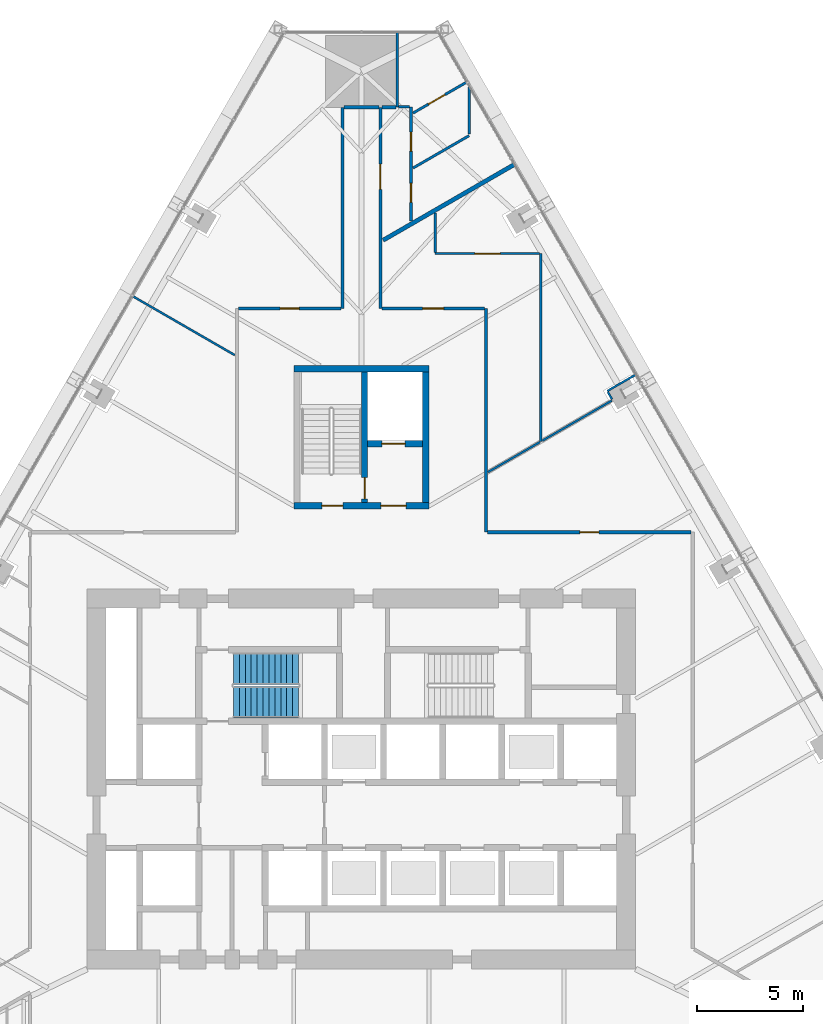
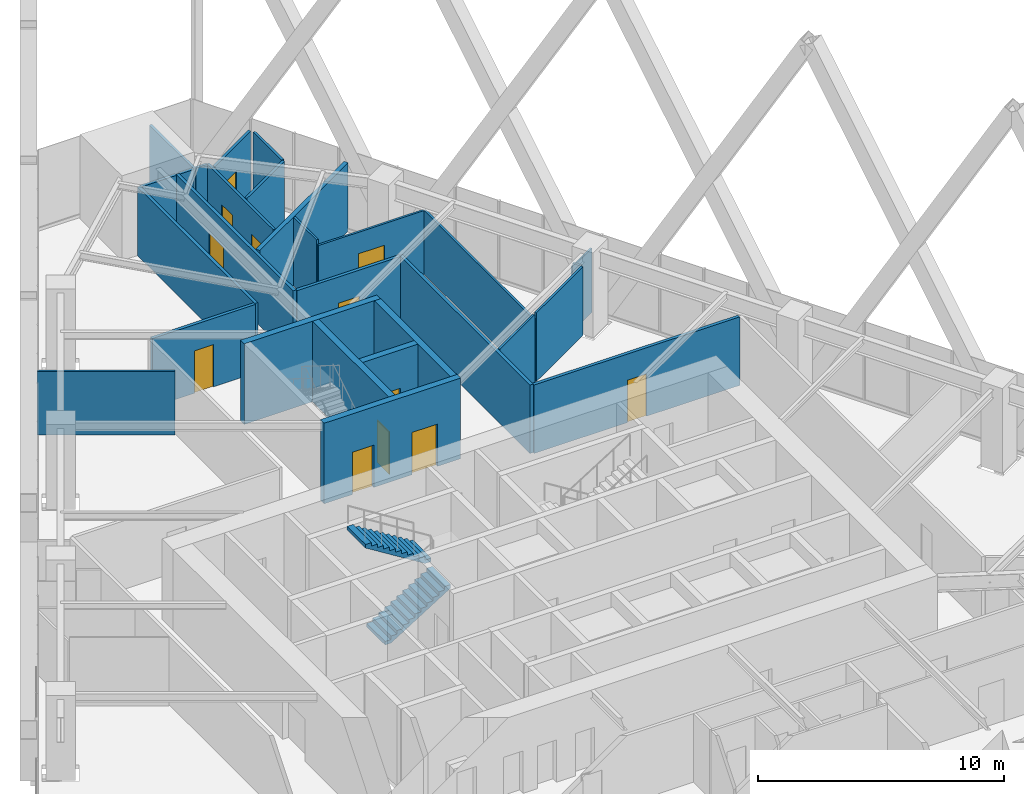
# One storey, part 20 of 26: 28 walls, 12 doors, 2 stair flights, 12 openings, 1 element without a shape of its own.
"""IFC4 building model written with IfcOpenShell, lengths in metres."""

from ifc_helpers import new_model, si_unit, direction, frame, frame_2d, origin, place, context, subcontext, project, spatial, polyline, rectangle, outline, extrude, material, layer, layer_set, type_object, element, fill, aggregate, save


model = new_model("IFC4")

# Units and contexts
model_context = context("Model", 3, precision=1e-05, world=origin(), true_north=direction((0.0, 1.0)))
body_context = subcontext(model_context, "Body", "Model", "MODEL_VIEW")
ifc_project = project(units=[si_unit("LENGTHUNIT", "METRE"), si_unit("AREAUNIT", "SQUARE_METRE"), si_unit("VOLUMEUNIT", "CUBIC_METRE"), si_unit("PLANEANGLEUNIT", "RADIAN"), si_unit("MASSUNIT", "GRAM", prefix="KILO")], contexts=[model_context])

# Site, building, storey
site_placement = place(None, origin())
site = spatial("IfcSite", under=ifc_project, at=site_placement, CompositionType="ELEMENT")
building_placement = place(site_placement, origin())
building = spatial("IfcBuilding", under=site, at=building_placement, Name="Firuza Gate Tower and Library", CompositionType="ELEMENT")
storey_placement = place(building_placement, frame((0.0, 0.0, 40.0)))
storey = spatial("IfcBuildingStorey", under=building, at=storey_placement, Name="L08", CompositionType="ELEMENT", Elevation=40.0)

# Wall, openings, doors
ifc_material_1 = material(Name="Concrete C80/95", Category="concrete")
ifc_layer_1 = layer(ifc_material_1, 0.300048828125)
ifc_layer_set_1 = layer_set([ifc_layer_1], Name="Core wall 300 C80/95")
wall_type_1 = type_object("IfcWallType", Name="Core wall 300 C80/95", PredefinedType="SHEAR", material=ifc_layer_set_1)
wall_1_placement = place(storey_placement, frame((71.800048828125, 87.949951171875, 0.0), z_axis=(0.0, 0.0, 1.0), x_axis=(1.0, 0.0, 0.0)))
wall_1 = element("IfcWall", 1, at=wall_1_placement, inside=storey, type_object=wall_type_1, Name="Core wall L08 34", PredefinedType="SHEAR", context=body_context, shape_type="SweptSolid", body=[
    extrude(rectangle(XDim=6.39990234375, YDim=0.300048828125, at=frame_2d((3.199951171875, 0.0))), origin(), (0.0, 0.0, 1.0), 4.0),
])
opening_1_placement = place(wall_1_placement, frame((1.324951171875, 0.0, 0.0)))
opening_1 = element("IfcOpeningElement", 2, at=opening_1_placement, cuts=wall_1, Name="Opening L08-K17", PredefinedType="OPENING", context=body_context, shape_type="SweptSolid", body=[
    extrude(rectangle(XDim=1.0, YDim=2.10009765625, at=frame_2d((0.5, 1.050048828125))), frame((0.0, 0.16015625, 0.0), z_axis=(0.0, -1.0, 0.0), x_axis=(1.0, 0.0, 0.0)), (0.0, 0.0, 1.0), 0.320068359375),
])
opening_2_placement = place(wall_1_placement, frame((4.125, 0.0, 0.0)))
opening_2 = element("IfcOpeningElement", 3, at=opening_2_placement, cuts=wall_1, Name="Opening L08-K19", PredefinedType="OPENING", context=body_context, shape_type="SweptSolid", body=[
    extrude(rectangle(XDim=1.199951171875, YDim=2.10009765625, at=frame_2d((0.60009765625, 1.050048828125))), frame((0.0, 0.16015625, 0.0), z_axis=(0.0, -1.0, 0.0), x_axis=(1.0, 0.0, 0.0)), (0.0, 0.0, 1.0), 0.320068359375),
])
ifc_material_2 = material(Name="Steel", Category="steel")
door_type_1 = type_object("IfcDoorType", Name="Fire door 1000x2100 FD90", OperationType="NOTDEFINED", PredefinedType="DOOR", material=ifc_material_2)
door_1_placement = place(opening_1_placement, origin())
door_1 = element("IfcDoor", 4, at=door_1_placement, inside=storey, type_object=door_type_1, Name="Door L08-K17", OperationType="SINGLE_SWING_RIGHT", OverallHeight=2.10009765625, OverallWidth=1.0, PredefinedType="DOOR", context=body_context, shape_type="SweptSolid", body=[
    extrude(rectangle(XDim=1.0, YDim=2.10009765625, at=frame_2d((0.5, 1.050048828125))), frame((0.0, 0.02490234375, 0.0), z_axis=(0.0, -1.0, 0.0), x_axis=(1.0, 0.0, 0.0)), (0.0, 0.0, 1.0), 0.050048828125),
])
fill(opening_1, door_1)
ifc_material_3 = material(Name="Steel", Category="steel")
door_type_2 = type_object("IfcDoorType", Name="Fire door 1200x2100 FD30S", OperationType="NOTDEFINED", PredefinedType="DOOR", material=ifc_material_3)
door_2_placement = place(opening_2_placement, origin())
door_2 = element("IfcDoor", 5, at=door_2_placement, inside=storey, type_object=door_type_2, Name="Door L08-K19", OperationType="SINGLE_SWING_RIGHT", OverallHeight=2.10009765625, OverallWidth=1.199951171875, PredefinedType="DOOR", context=body_context, shape_type="SweptSolid", body=[
    extrude(rectangle(XDim=1.199951171875, YDim=2.10009765625, at=frame_2d((0.60009765625, 1.050048828125))), frame((0.0, 0.02490234375, 0.0), z_axis=(0.0, -1.0, 0.0), x_axis=(1.0, 0.0, 0.0)), (0.0, 0.0, 1.0), 0.050048828125),
])
fill(opening_2, door_2)

# Walls
wall_2_placement = place(storey_placement, frame((71.800048828125, 94.449951171875, 0.0), z_axis=(0.0, 0.0, 1.0), x_axis=(1.0, 0.0, 0.0)))
element("IfcWall", 6, at=wall_2_placement, inside=storey, type_object=wall_type_1, Name="Core wall L08 35", PredefinedType="SHEAR", context=body_context, shape_type="SweptSolid", body=[
    extrude(rectangle(XDim=6.39990234375, YDim=0.300048828125, at=frame_2d((3.199951171875, 0.0))), origin(), (0.0, 0.0, 1.0), 4.0),
])
wall_3_placement = place(storey_placement, frame((78.050048828125, 88.10009765625, 0.0), z_axis=(0.0, 0.0, 1.0), x_axis=(0.0, 1.0, 0.0)))
element("IfcWall", 7, at=wall_3_placement, inside=storey, type_object=wall_type_1, Name="Core wall L08 37", PredefinedType="SHEAR", context=body_context, shape_type="SweptSolid", body=[
    extrude(rectangle(XDim=6.199951171875, YDim=0.300048828125, at=frame_2d((3.10009765625, 0.0))), origin(), (0.0, 0.0, 1.0), 4.0),
])

# Wall, opening, door
wall_4_placement = place(storey_placement, frame((75.300048828125, 90.89990234375, 0.0), z_axis=(0.0, 0.0, 1.0), x_axis=(1.0, 0.0, 0.0)))
wall_4 = element("IfcWall", 8, at=wall_4_placement, inside=storey, type_object=wall_type_1, Name="Core wall L08 38", PredefinedType="SHEAR", context=body_context, shape_type="SweptSolid", body=[
    extrude(rectangle(XDim=2.599853515625, YDim=0.300048828125, at=frame_2d((1.2998046875, 0.0))), origin(), (0.0, 0.0, 1.0), 4.0),
])
opening_3_placement = place(wall_4_placement, frame((0.675048828125, 0.0, 0.0)))
opening_3 = element("IfcOpeningElement", 9, at=opening_3_placement, cuts=wall_4, Name="Opening LD-SV1-L08", PredefinedType="OPENING", context=body_context, shape_type="SweptSolid", body=[
    extrude(rectangle(XDim=1.10009765625, YDim=2.10009765625, at=frame_2d((0.550048828125, 1.050048828125))), frame((0.0, 0.16015625, 0.0), z_axis=(0.0, -1.0, 0.0), x_axis=(1.0, 0.0, 0.0)), (0.0, 0.0, 1.0), 0.320068359375),
])
ifc_material_4 = material(Name="Stainless steel", Category="steel")
door_type_3 = type_object("IfcDoorType", Name="Lift landing door 1100x2100", OperationType="DOUBLE_DOOR_SLIDING", PredefinedType="DOOR", material=ifc_material_4)
door_3_placement = place(opening_3_placement, origin())
door_3 = element("IfcDoor", 10, at=door_3_placement, inside=storey, type_object=door_type_3, Name="Landing door SV1 L08", OperationType="DOUBLE_DOOR_SLIDING", OverallHeight=2.10009765625, OverallWidth=1.10009765625, PredefinedType="DOOR", context=body_context, shape_type="SweptSolid", body=[
    extrude(rectangle(XDim=1.10009765625, YDim=2.10009765625, at=frame_2d((0.550048828125, 1.050048828125))), frame((0.0, 0.02490234375, 0.0), z_axis=(0.0, -1.0, 0.0), x_axis=(1.0, 0.0, 0.0)), (0.0, 0.0, 1.0), 0.050048828125),
])
fill(opening_3, door_3)

wall_5_placement = place(storey_placement, frame((75.14990234375, 88.10009765625, 0.0), z_axis=(0.0, 0.0, 1.0), x_axis=(0.0, 1.0, 0.0)))
wall_5 = element("IfcWall", 11, at=wall_5_placement, inside=storey, type_object=wall_type_1, Name="Core wall L08 39", PredefinedType="SHEAR", context=body_context, shape_type="SweptSolid", body=[
    extrude(rectangle(XDim=6.199951171875, YDim=0.300048828125, at=frame_2d((3.10009765625, 0.0))), origin(), (0.0, 0.0, 1.0), 4.0),
])
opening_4_placement = place(wall_5_placement, frame((0.18505859375, 0.0, 0.0)))
opening_4 = element("IfcOpeningElement", 12, at=opening_4_placement, cuts=wall_5, Name="Opening L08-K18", PredefinedType="OPENING", context=body_context, shape_type="SweptSolid", body=[
    extrude(rectangle(XDim=1.0, YDim=2.10009765625, at=frame_2d((0.5, 1.050048828125))), frame((0.0, 0.16015625, 0.0), z_axis=(0.0, -1.0, 0.0), x_axis=(1.0, 0.0, 0.0)), (0.0, 0.0, 1.0), 0.320068359375),
])
door_4_placement = place(opening_4_placement, origin())
door_4 = element("IfcDoor", 13, at=door_4_placement, inside=storey, type_object=door_type_1, Name="Door L08-K18", OperationType="SINGLE_SWING_LEFT", OverallHeight=2.10009765625, OverallWidth=1.0, PredefinedType="DOOR", context=body_context, shape_type="SweptSolid", body=[
    extrude(rectangle(XDim=1.0, YDim=2.10009765625, at=frame_2d((0.5, 1.050048828125))), frame((0.0, 0.02490234375, 0.0), z_axis=(0.0, -1.0, 0.0), x_axis=(1.0, 0.0, 0.0)), (0.0, 0.0, 1.0), 0.050048828125),
])
fill(opening_4, door_4)

ifc_material_5 = material(Name="Gypsum board partition")
ifc_layer_2 = layer(ifc_material_5, 0.14990234375)
ifc_layer_set_2 = layer_set([ifc_layer_2], Name="Corridor wall 150 double board on steel studs")
wall_type_2 = type_object("IfcWallType", Name="Corridor wall 150 double board on steel studs", PredefinedType="PARTITIONING", material=ifc_layer_set_2)
wall_6_placement = place(storey_placement, frame((90.62451171875, 86.699951171875, 0.0), z_axis=(0.0, 0.0, 1.0), x_axis=(-1.0, 0.0, 0.0)))
wall_6 = element("IfcWall", 14, at=wall_6_placement, inside=storey, type_object=wall_type_2, Name="f:L08:w008", PredefinedType="PARTITIONING", context=body_context, shape_type="SweptSolid", body=[
    extrude(rectangle(XDim=9.6494140625, YDim=0.14990234375, at=frame_2d((4.82470703125, 0.0))), origin(), (0.0, 0.0, 1.0), 3.39990234375),
])
opening_5_placement = place(wall_6_placement, frame((4.374755859375, 0.0, 0.0)))
opening_5 = element("IfcOpeningElement", 15, at=opening_5_placement, cuts=wall_6, Name="Opening L08-12", PredefinedType="OPENING", context=body_context, shape_type="SweptSolid", body=[
    extrude(rectangle(XDim=0.89990234375, YDim=2.10009765625, at=frame_2d((0.449951171875, 1.050048828125))), frame((0.0, 0.0849609375, 0.0), z_axis=(0.0, -1.0, 0.0), x_axis=(1.0, 0.0, 0.0)), (0.0, 0.0, 1.0), 0.169921875),
])
ifc_material_6 = material(Name="Steel door and timber leaf", Category="steel")
door_type_4 = type_object("IfcDoorType", Name="Fire door 900 x 2100 steel frame, timber leaf", OperationType="NOTDEFINED", PredefinedType="DOOR", material=ifc_material_6)
door_5_placement = place(opening_5_placement, origin())
door_5 = element("IfcDoor", 16, at=door_5_placement, inside=storey, type_object=door_type_4, Name="f:L08:d012", OperationType="SINGLE_SWING_LEFT", OverallHeight=2.10009765625, OverallWidth=0.89990234375, PredefinedType="DOOR", context=body_context, shape_type="SweptSolid", body=[
    extrude(rectangle(XDim=0.89990234375, YDim=2.10009765625, at=frame_2d((0.449951171875, 1.050048828125))), frame((0.0, 0.02490234375, 0.0), z_axis=(0.0, -1.0, 0.0), x_axis=(1.0, 0.0, 0.0)), (0.0, 0.0, 1.0), 0.050048828125),
])
fill(opening_5, door_5)

wall_7_placement = place(storey_placement, frame((69.175537109375, 97.300048828125, 0.0), z_axis=(0.0, 0.0, 1.0), x_axis=(1.0, 0.0, 0.0)))
wall_7 = element("IfcWall", 17, at=wall_7_placement, inside=storey, type_object=wall_type_2, Name="f:L08:w009", PredefinedType="PARTITIONING", context=body_context, shape_type="SweptSolid", body=[
    extrude(rectangle(XDim=4.849365234375, YDim=0.14990234375, at=frame_2d((2.4248046875, 0.0))), origin(), (0.0, 0.0, 1.0), 3.39990234375),
])
opening_6_placement = place(wall_7_placement, frame((1.974853515625, 0.0, 0.0)))
opening_6 = element("IfcOpeningElement", 18, at=opening_6_placement, cuts=wall_7, Name="Opening L08-13", PredefinedType="OPENING", context=body_context, shape_type="SweptSolid", body=[
    extrude(rectangle(XDim=0.89990234375, YDim=2.10009765625, at=frame_2d((0.449951171875, 1.050048828125))), frame((0.0, 0.0849609375, 0.0), z_axis=(0.0, -1.0, 0.0), x_axis=(1.0, 0.0, 0.0)), (0.0, 0.0, 1.0), 0.169921875),
])
door_6_placement = place(opening_6_placement, origin())
door_6 = element("IfcDoor", 19, at=door_6_placement, inside=storey, type_object=door_type_4, Name="f:L08:d013", OperationType="SINGLE_SWING_LEFT", OverallHeight=2.10009765625, OverallWidth=0.89990234375, PredefinedType="DOOR", context=body_context, shape_type="SweptSolid", body=[
    extrude(rectangle(XDim=0.89990234375, YDim=2.10009765625, at=frame_2d((0.449951171875, 1.050048828125))), frame((0.0, 0.02490234375, 0.0), z_axis=(0.0, -1.0, 0.0), x_axis=(1.0, 0.0, 0.0)), (0.0, 0.0, 1.0), 0.050048828125),
])
fill(opening_6, door_6)

wall_8_placement = place(storey_placement, frame((80.824951171875, 97.300048828125, 0.0), z_axis=(0.0, 0.0, 1.0), x_axis=(-1.0, 0.0, 0.0)))
wall_8 = element("IfcWall", 20, at=wall_8_placement, inside=storey, type_object=wall_type_2, Name="f:L08:w010", PredefinedType="PARTITIONING", context=body_context, shape_type="SweptSolid", body=[
    extrude(rectangle(XDim=4.849853515625, YDim=0.14990234375, at=frame_2d((2.4248046875, 0.0))), origin(), (0.0, 0.0, 1.0), 3.39990234375),
])
opening_7_placement = place(wall_8_placement, frame((1.925048828125, 0.0, 0.0)))
opening_7 = element("IfcOpeningElement", 21, at=opening_7_placement, cuts=wall_8, Name="Opening L08-14", PredefinedType="OPENING", context=body_context, shape_type="SweptSolid", body=[
    extrude(rectangle(XDim=1.0, YDim=2.10009765625, at=frame_2d((0.5, 1.050048828125))), frame((0.0, 0.0849609375, 0.0), z_axis=(0.0, -1.0, 0.0), x_axis=(1.0, 0.0, 0.0)), (0.0, 0.0, 1.0), 0.169921875),
])
ifc_material_7 = material(Name="Steel door and timber leaf", Category="steel")
door_type_5 = type_object("IfcDoorType", Name="Fire door 1000 x 2100 steel frame, timber leaf", OperationType="NOTDEFINED", PredefinedType="DOOR", material=ifc_material_7)
door_7_placement = place(opening_7_placement, origin())
door_7 = element("IfcDoor", 22, at=door_7_placement, inside=storey, type_object=door_type_5, Name="f:L08:d014", OperationType="SINGLE_SWING_LEFT", OverallHeight=2.10009765625, OverallWidth=1.0, PredefinedType="DOOR", context=body_context, shape_type="SweptSolid", body=[
    extrude(rectangle(XDim=1.0, YDim=2.10009765625, at=frame_2d((0.5, 1.050048828125))), frame((0.0, 0.02490234375, 0.0), z_axis=(0.0, -1.0, 0.0), x_axis=(1.0, 0.0, 0.0)), (0.0, 0.0, 1.0), 0.050048828125),
])
fill(opening_7, door_7)

# Walls
wall_9_placement = place(storey_placement, frame((74.175537109375, 106.833984375, 0.0), z_axis=(0.0, 0.0, 1.0), x_axis=(1.0, 0.0, 0.0)))
element("IfcWall", 23, at=wall_9_placement, inside=storey, type_object=wall_type_2, Name="f:L08:w012", PredefinedType="PARTITIONING", context=body_context, shape_type="SweptSolid", body=[
    extrude(rectangle(XDim=1.6494140625, YDim=0.14990234375, at=frame_2d((0.82470703125, 0.0))), origin(), (0.0, 0.0, 1.0), 3.39697265625),
])
wall_10_placement = place(storey_placement, frame((80.89990234375, 86.699951171875, 0.0), z_axis=(0.0, 0.0, 1.0), x_axis=(0.0, 1.0, 0.0)))
element("IfcWall", 24, at=wall_10_placement, inside=storey, type_object=wall_type_2, Name="f:L08:w034", PredefinedType="PARTITIONING", context=body_context, shape_type="SweptSolid", body=[
    extrude(rectangle(XDim=10.60009765625, YDim=0.14990234375, at=frame_2d((5.300048828125, 0.0))), origin(), (0.0, 0.0, 1.0), 3.39990234375),
])

# Wall, opening, door
wall_11_placement = place(storey_placement, frame((75.89990234375, 106.833740234375, 0.0), z_axis=(0.0, 0.0, 1.0), x_axis=(0.0, -1.0, 0.0)))
wall_11 = element("IfcWall", 25, at=wall_11_placement, inside=storey, type_object=wall_type_2, Name="f:L08:w041", PredefinedType="PARTITIONING", context=body_context, shape_type="SweptSolid", body=[
    extrude(rectangle(XDim=9.53369140625, YDim=0.14990234375, at=frame_2d((4.766845703125, 0.0))), origin(), (0.0, 0.0, 1.0), 3.39990234375),
])
opening_8_placement = place(wall_11_placement, frame((2.687744140625, 0.0, 0.0)))
opening_8 = element("IfcOpeningElement", 26, at=opening_8_placement, cuts=wall_11, Name="Opening L08-24", PredefinedType="OPENING", context=body_context, shape_type="SweptSolid", body=[
    extrude(rectangle(XDim=1.199951171875, YDim=2.10009765625, at=frame_2d((0.60009765625, 1.050048828125))), frame((0.0, 0.0849609375, 0.0), z_axis=(0.0, -1.0, 0.0), x_axis=(1.0, 0.0, 0.0)), (0.0, 0.0, 1.0), 0.169921875),
])
ifc_material_8 = material(Name="Steel door and timber leaf", Category="steel")
door_type_6 = type_object("IfcDoorType", Name="Fire door 1200 x 2100 steel frame, double leaf", OperationType="NOTDEFINED", PredefinedType="DOOR", material=ifc_material_8)
door_8_placement = place(opening_8_placement, origin())
door_8 = element("IfcDoor", 27, at=door_8_placement, inside=storey, type_object=door_type_6, Name="f:L08:d024", OperationType="DOUBLE_DOOR_SINGLE_SWING", OverallHeight=2.10009765625, OverallWidth=1.199951171875, PredefinedType="DOOR", context=body_context, shape_type="SweptSolid", body=[
    extrude(rectangle(XDim=1.199951171875, YDim=2.10009765625, at=frame_2d((0.60009765625, 1.050048828125))), frame((0.0, 0.02490234375, 0.0), z_axis=(0.0, -1.0, 0.0), x_axis=(1.0, 0.0, 0.0)), (0.0, 0.0, 1.0), 0.050048828125),
])
fill(opening_8, door_8)

# Walls
wall_12_placement = place(storey_placement, frame((74.10009765625, 97.300048828125, 0.0), z_axis=(0.0, 0.0, 1.0), x_axis=(0.0, 1.0, 0.0)))
element("IfcWall", 28, at=wall_12_placement, inside=storey, type_object=wall_type_2, Name="f:L08:w043", PredefinedType="PARTITIONING", context=body_context, shape_type="SweptSolid", body=[
    extrude(rectangle(XDim=9.533203125, YDim=0.14990234375, at=frame_2d((4.7666015625, 0.0))), origin(), (0.0, 0.0, 1.0), 3.39990234375),
])
wall_13_placement = place(storey_placement, frame((75.97509765625, 106.833984375, 0.0), z_axis=(0.0, 0.0, 1.0), x_axis=(1.0, 0.0, 0.0)))
element("IfcWall", 29, at=wall_13_placement, inside=storey, type_object=wall_type_2, Name="f:L08:w068", PredefinedType="PARTITIONING", context=body_context, shape_type="SweptSolid", body=[
    extrude(rectangle(XDim=0.664306640625, YDim=0.14990234375, at=frame_2d((0.33203125, 0.0))), origin(), (0.0, 0.0, 1.0), 3.39990234375),
])
ifc_material_9 = material(Name="Gypsum board partition")
ifc_layer_3 = layer(ifc_material_9, 0.199951171875)
ifc_layer_set_3 = layer_set([ifc_layer_3], Name="Demising wall 200 acoustic double stud")
wall_type_3 = type_object("IfcWallType", Name="Demising wall 200 acoustic double stud", PredefinedType="PARTITIONING", material=ifc_layer_set_3)
wall_14_placement = place(storey_placement, frame((76.02685546875, 100.534423828125, 0.0), z_axis=(0.0, 0.0, 1.0), x_axis=(0.866029480033, 0.499992939664, 0.0)))
element("IfcWall", 30, at=wall_14_placement, inside=storey, type_object=wall_type_3, Name="f:L08:w023", PredefinedType="PARTITIONING", context=body_context, shape_type="SweptSolid", body=[
    extrude(rectangle(XDim=7.18798828125, YDim=0.199951171875, at=frame_2d((3.593994140625, 0.0))), origin(), (0.0, 0.0, 1.0), 3.39990234375),
])

# Wall, opening, door
ifc_material_10 = material(Name="Gypsum board partition")
ifc_layer_4 = layer(ifc_material_10, 0.10009765625)
ifc_layer_set_4 = layer_set([ifc_layer_4], Name="Partition 100 gypsum board on steel studs")
wall_type_4 = type_object("IfcWallType", Name="Partition 100 gypsum board on steel studs", PredefinedType="PARTITIONING", material=ifc_layer_set_4)
wall_15_placement = place(storey_placement, frame((83.449951171875, 99.89990234375, 0.0), z_axis=(0.0, 0.0, 1.0), x_axis=(-1.0, 0.0, 0.0)))
wall_15 = element("IfcWall", 31, at=wall_15_placement, inside=storey, type_object=wall_type_4, Name="f:L08:w011", PredefinedType="PARTITIONING", context=body_context, shape_type="SweptSolid", body=[
    extrude(rectangle(XDim=4.949951171875, YDim=0.10009765625, at=frame_2d((2.47509765625, 0.0))), origin(), (0.0, 0.0, 1.0), 3.1650390625),
])
opening_9_placement = place(wall_15_placement, frame((1.875, 0.0, 0.0)))
opening_9 = element("IfcOpeningElement", 32, at=opening_9_placement, cuts=wall_15, Name="Opening L08-15", PredefinedType="OPENING", context=body_context, shape_type="SweptSolid", body=[
    extrude(rectangle(XDim=1.199951171875, YDim=2.10009765625, at=frame_2d((0.60009765625, 1.050048828125))), frame((0.0, 0.06005859375, 0.0), z_axis=(0.0, -1.0, 0.0), x_axis=(1.0, 0.0, 0.0)), (0.0, 0.0, 1.0), 0.1201171875),
])
ifc_material_11 = material(Name="Glazed aluminium door", Category="aluminium")
door_type_7 = type_object("IfcDoorType", Name="Door 1200 x 2100 glazed double leaf", OperationType="NOTDEFINED", PredefinedType="DOOR", material=ifc_material_11)
door_9_placement = place(opening_9_placement, origin())
door_9 = element("IfcDoor", 33, at=door_9_placement, inside=storey, type_object=door_type_7, Name="f:L08:d015", OperationType="DOUBLE_DOOR_SINGLE_SWING", OverallHeight=2.10009765625, OverallWidth=1.199951171875, PredefinedType="DOOR", context=body_context, shape_type="SweptSolid", body=[
    extrude(rectangle(XDim=1.199951171875, YDim=2.10009765625, at=frame_2d((0.60009765625, 1.050048828125))), frame((0.0, 0.02490234375, 0.0), z_axis=(0.0, -1.0, 0.0), x_axis=(1.0, 0.0, 0.0)), (0.0, 0.0, 1.0), 0.050048828125),
])
fill(opening_9, door_9)

# Walls
wall_16_placement = place(storey_placement, frame((81.0009765625, 89.5498046875, 0.0), z_axis=(0.0, 0.0, 1.0), x_axis=(0.866019653938, 0.500009958894, 0.0)))
element("IfcWall", 34, at=wall_16_placement, inside=storey, type_object=wall_type_4, Name="f:L08:w021", PredefinedType="PARTITIONING", context=body_context, shape_type="SweptSolid", body=[
    extrude(rectangle(XDim=2.84228515625, YDim=0.10009765625, at=frame_2d((1.421142578125, 0.0))), origin(), (0.0, 0.0, 1.0), 3.39990234375),
])
wall_17_placement = place(storey_placement, frame((86.6513671875, 93.389404296875, 0.0), z_axis=(0.0, 0.0, 1.0), x_axis=(0.866018739521, 0.500011542666, 0.0)))
element("IfcWall", 35, at=wall_17_placement, inside=storey, type_object=wall_type_4, Name="f:L08:w022", PredefinedType="PARTITIONING", context=body_context, shape_type="SweptSolid", body=[
    extrude(rectangle(XDim=1.5595703125, YDim=0.10009765625, at=frame_2d((0.77978515625, 0.0))), origin(), (0.0, 0.0, 1.0), 3.1650390625),
])
wall_18_placement = place(storey_placement, frame((83.5, 90.99267578125, 0.0), z_axis=(0.0, 0.0, 1.0), x_axis=(0.0, 1.0, 0.0)))
element("IfcWall", 36, at=wall_18_placement, inside=storey, type_object=wall_type_4, Name="f:L08:w032", PredefinedType="PARTITIONING", context=body_context, shape_type="SweptSolid", body=[
    extrude(rectangle(XDim=8.9072265625, YDim=0.10009765625, at=frame_2d((4.45361328125, 0.0))), origin(), (0.0, 0.0, 1.0), 3.1650390625),
])
wall_19_placement = place(storey_placement, frame((78.5, 99.949951171875, 0.0), z_axis=(0.0, 0.0, 1.0), x_axis=(0.0, 1.0, 0.0)))
element("IfcWall", 37, at=wall_19_placement, inside=storey, type_object=wall_type_4, Name="f:L08:w037", PredefinedType="PARTITIONING", context=body_context, shape_type="SweptSolid", body=[
    extrude(rectangle(XDim=1.866943359375, YDim=0.10009765625, at=frame_2d((0.93359375, 0.0))), origin(), (0.0, 0.0, 1.0), 3.39990234375),
])
wall_20_placement = place(storey_placement, frame((86.87646484375, 92.999755859375, 0.0), z_axis=(0.0, 0.0, 1.0), x_axis=(-0.500409926597, 0.865788603161, 0.0)))
element("IfcWall", 38, at=wall_20_placement, inside=storey, type_object=wall_type_4, Name="f:L08:w052", PredefinedType="PARTITIONING", context=body_context, shape_type="SweptSolid", body=[
    extrude(rectangle(XDim=0.399658203125, YDim=0.10009765625, at=frame_2d((0.19970703125, 0.0))), origin(), (0.0, 0.0, 1.0), 3.39990234375),
])
wall_21_placement = place(storey_placement, frame((68.9990234375, 95.092529296875, 0.0), z_axis=(0.0, 0.0, 1.0), x_axis=(-0.866032434152, 0.499987822848, 0.0)))
element("IfcWall", 39, at=wall_21_placement, inside=storey, type_object=wall_type_4, Name="f:L08:w054", PredefinedType="PARTITIONING", context=body_context, shape_type="SweptSolid", body=[
    extrude(rectangle(XDim=5.601318359375, YDim=0.10009765625, at=frame_2d((2.80078125, 0.0))), origin(), (0.0, 0.0, 1.0), 3.1650390625),
])
wall_22_placement = place(storey_placement, frame((83.574951171875, 91.0361328125, 0.0), z_axis=(0.0, 0.0, 1.0), x_axis=(0.866032607753, 0.499987522153, 0.0)))
element("IfcWall", 40, at=wall_22_placement, inside=storey, type_object=wall_type_4, Name="f:L08:w071", PredefinedType="PARTITIONING", context=body_context, shape_type="SweptSolid", body=[
    extrude(rectangle(XDim=3.80029296875, YDim=0.10009765625, at=frame_2d((1.900146484375, 0.0))), origin(), (0.0, 0.0, 1.0), 3.39990234375),
])
ifc_material_12 = material(Name="Gypsum board partition")
ifc_layer_5 = layer(ifc_material_12, 0.1201171875)
ifc_layer_set_5 = layer_set([ifc_layer_5], Name="Wet-area partition 120 moisture-resistant board")
wall_type_5 = type_object("IfcWallType", Name="Wet-area partition 120 moisture-resistant board", PredefinedType="PARTITIONING", material=ifc_layer_set_5)
wall_23_placement = place(storey_placement, frame((76.760009765625, 106.85302734375, 0.0), z_axis=(0.0, 0.0, 1.0), x_axis=(1.0, 0.0, 0.0)))
element("IfcWall", 41, at=wall_23_placement, inside=storey, type_object=wall_type_5, Name="f:L08:w013", PredefinedType="PARTITIONING", context=body_context, shape_type="SweptSolid", body=[
    extrude(rectangle(XDim=0.529541015625, YDim=0.1201171875, at=frame_2d((0.2646484375, 0.0))), origin(), (0.0, 0.0, 1.0), 3.39990234375),
])
wall_24_placement = place(storey_placement, frame((77.44482421875, 103.955810546875, 0.0), z_axis=(0.0, 0.0, 1.0), x_axis=(0.86599994119, 0.500044099915, 0.0)))
element("IfcWall", 42, at=wall_24_placement, inside=storey, type_object=wall_type_5, Name="f:L08:w024", PredefinedType="PARTITIONING", context=body_context, shape_type="SweptSolid", body=[
    extrude(rectangle(XDim=3.066162109375, YDim=0.1201171875, at=frame_2d((1.533203125, 0.0))), origin(), (0.0, 0.0, 1.0), 3.39990234375),
])

# Wall, opening, door
wall_25_placement = place(storey_placement, frame((79.997314453125, 108.033447265625, 0.0), z_axis=(0.0, 0.0, 1.0), x_axis=(-0.866038018385, -0.499978150234, 0.0)))
wall_25 = element("IfcWall", 43, at=wall_25_placement, inside=storey, type_object=wall_type_5, Name="f:L08:w025", PredefinedType="PARTITIONING", context=body_context, shape_type="SweptSolid", body=[
    extrude(rectangle(XDim=2.947998046875, YDim=0.1201171875, at=frame_2d((1.47412109375, 0.0))), origin(), (0.0, 0.0, 1.0), 3.39990234375),
])
opening_10_placement = place(wall_25_placement, frame((1.203857421875, 0.0, 0.0)))
opening_10 = element("IfcOpeningElement", 44, at=opening_10_placement, cuts=wall_25, Name="Opening L08-20", PredefinedType="OPENING", context=body_context, shape_type="SweptSolid", body=[
    extrude(rectangle(XDim=0.89990234375, YDim=2.10009765625, at=frame_2d((0.449951171875, 1.050048828125))), frame((0.0, 0.070068359375, 0.0), z_axis=(0.0, -1.0, 0.0), x_axis=(1.0, 0.0, 0.0)), (0.0, 0.0, 1.0), 0.14013671875),
])
ifc_material_13 = material(Name="Timber door", Category="wood")
door_type_8 = type_object("IfcDoorType", Name="Door 900 x 2100 timber leaf", OperationType="NOTDEFINED", PredefinedType="DOOR", material=ifc_material_13)
door_10_placement = place(opening_10_placement, origin())
door_10 = element("IfcDoor", 45, at=door_10_placement, inside=storey, type_object=door_type_8, Name="f:L08:d020", OperationType="SINGLE_SWING_LEFT", OverallHeight=2.10009765625, OverallWidth=0.89990234375, PredefinedType="DOOR", context=body_context, shape_type="SweptSolid", body=[
    extrude(rectangle(XDim=0.89990234375, YDim=2.10009765625, at=frame_2d((0.449951171875, 1.050048828125))), frame((0.0, 0.02490234375, 0.0), z_axis=(0.0, -1.0, 0.0), x_axis=(1.0, 0.0, 0.0)), (0.0, 0.0, 1.0), 0.050048828125),
])
fill(opening_10, door_10)

# Wall
wall_26_placement = place(storey_placement, frame((80.10009765625, 105.558349609375, 0.0), z_axis=(0.0, 0.0, 1.0), x_axis=(0.0, 1.0, 0.0)))
element("IfcWall", 46, at=wall_26_placement, inside=storey, type_object=wall_type_5, Name="f:L08:w035", PredefinedType="PARTITIONING", context=body_context, shape_type="SweptSolid", body=[
    extrude(rectangle(XDim=2.29736328125, YDim=0.1201171875, at=frame_2d((1.148681640625, 0.0))), origin(), (0.0, 0.0, 1.0), 3.39990234375),
])

# Wall, openings, doors
wall_27_placement = place(storey_placement, frame((77.35009765625, 101.453857421875, 0.0), z_axis=(0.0, 0.0, 1.0), x_axis=(0.0, 1.0, 0.0)))
wall_27 = element("IfcWall", 47, at=wall_27_placement, inside=storey, type_object=wall_type_5, Name="f:L08:w038", PredefinedType="PARTITIONING", context=body_context, shape_type="SweptSolid", body=[
    extrude(rectangle(XDim=5.39892578125, YDim=0.1201171875, at=frame_2d((2.699462890625, 0.0))), origin(), (0.0, 0.0, 1.0), 3.39990234375),
])
opening_11_placement = place(wall_27_placement, frame((0.87548828125, 0.0, 0.0)))
opening_11 = element("IfcOpeningElement", 48, at=opening_11_placement, cuts=wall_27, Name="Opening L08-22", PredefinedType="OPENING", context=body_context, shape_type="SweptSolid", body=[
    extrude(rectangle(XDim=0.89990234375, YDim=2.10009765625, at=frame_2d((0.449951171875, 1.050048828125))), frame((0.0, 0.070068359375, 0.0), z_axis=(0.0, -1.0, 0.0), x_axis=(1.0, 0.0, 0.0)), (0.0, 0.0, 1.0), 0.14013671875),
])
opening_12_placement = place(wall_27_placement, frame((3.29931640625, 0.0, 0.0)))
opening_12 = element("IfcOpeningElement", 49, at=opening_12_placement, cuts=wall_27, Name="Opening L08-23", PredefinedType="OPENING", context=body_context, shape_type="SweptSolid", body=[
    extrude(rectangle(XDim=0.89990234375, YDim=2.10009765625, at=frame_2d((0.449951171875, 1.050048828125))), frame((0.0, 0.070068359375, 0.0), z_axis=(0.0, -1.0, 0.0), x_axis=(1.0, 0.0, 0.0)), (0.0, 0.0, 1.0), 0.14013671875),
])
door_11_placement = place(opening_11_placement, origin())
door_11 = element("IfcDoor", 50, at=door_11_placement, inside=storey, type_object=door_type_8, Name="f:L08:d022", OperationType="SINGLE_SWING_RIGHT", OverallHeight=2.10009765625, OverallWidth=0.89990234375, PredefinedType="DOOR", context=body_context, shape_type="SweptSolid", body=[
    extrude(rectangle(XDim=0.89990234375, YDim=2.10009765625, at=frame_2d((0.449951171875, 1.050048828125))), frame((0.0, 0.02490234375, 0.0), z_axis=(0.0, -1.0, 0.0), x_axis=(1.0, 0.0, 0.0)), (0.0, 0.0, 1.0), 0.050048828125),
])
fill(opening_11, door_11)
door_12_placement = place(opening_12_placement, origin())
door_12 = element("IfcDoor", 51, at=door_12_placement, inside=storey, type_object=door_type_8, Name="f:L08:d023", OperationType="SINGLE_SWING_LEFT", OverallHeight=2.10009765625, OverallWidth=0.89990234375, PredefinedType="DOOR", context=body_context, shape_type="SweptSolid", body=[
    extrude(rectangle(XDim=0.89990234375, YDim=2.10009765625, at=frame_2d((0.449951171875, 1.050048828125))), frame((0.0, 0.02490234375, 0.0), z_axis=(0.0, -1.0, 0.0), x_axis=(1.0, 0.0, 0.0)), (0.0, 0.0, 1.0), 0.050048828125),
])
fill(opening_12, door_12)

# Wall
wall_28_placement = place(storey_placement, frame((76.699951171875, 106.850341796875, 0.0), z_axis=(0.0, 0.0, 1.0), x_axis=(0.0, 1.0, 0.0)))
element("IfcWall", 52, at=wall_28_placement, inside=storey, type_object=wall_type_5, Name="f:L08:w040", PredefinedType="PARTITIONING", context=body_context, shape_type="SweptSolid", body=[
    extrude(rectangle(XDim=3.54345703125, YDim=0.1201171875, at=frame_2d((1.771728515625, 0.0))), origin(), (0.0, 0.0, 1.0), 3.39990234375),
])

# Stair, stair flights
ifc_material_14 = material(Name="Concrete C35/45", Category="concrete")
stair_type = type_object("IfcStairType", Name="Exit stair ST5", PredefinedType="HALF_TURN_STAIR", material=ifc_material_14)
stair_placement = place(storey_placement, origin())
stair = element("IfcStair", 53, at=stair_placement, inside=storey, type_object=stair_type, Name="L08 Stair ST1", PredefinedType="HALF_TURN_STAIR")
ifc_material_15 = material(Name="Concrete C35/45", Category="concrete")
stair_flight_type = type_object("IfcStairFlightType", Name="Stair flight 12 risers 175 width 1490", PredefinedType="STRAIGHT", material=ifc_material_15)
stair_flight_1_placement = place(storey_placement, frame((68.93994140625, 78.64501953125, 0.0), z_axis=(0.0, 0.0, 1.0), x_axis=(1.0, 0.0, 0.0)))
stair_flight_1 = element("IfcStairFlight", 54, at=stair_flight_1_placement, type_object=stair_flight_type, Name="ST1 flight 1", NumberOfRisers=12, NumberOfTreads=11, PredefinedType="STRAIGHT", RiserHeight=0.175, TreadLength=0.28, context=body_context, shape_type="SweptSolid", body=[
    extrude(outline(polyline([(0.0, 0.0), (0.0, 0.175048828125), (0.280029296875, 0.175048828125), (0.280029296875, 0.35009765625), (0.56005859375, 0.35009765625), (0.56005859375, 0.52490234375), (0.840087890625, 0.52490234375), (0.840087890625, 0.699951171875), (1.1201171875, 0.699951171875), (1.1201171875, 0.875), (1.39990234375, 0.875), (1.39990234375, 1.050048828125), (1.679931640625, 1.050048828125), (1.679931640625, 1.22509765625), (1.9599609375, 1.22509765625), (1.9599609375, 1.39990234375), (2.239990234375, 1.39990234375), (2.239990234375, 1.574951171875), (2.52001953125, 1.574951171875), (2.52001953125, 1.75), (2.800048828125, 1.75), (2.800048828125, 1.925048828125), (3.080078125, 1.925048828125), (3.080078125, 2.10009765625), (3.080078125, 1.748291015625), (0.28271484375, 0.0), (0.0, 0.0)])), frame((0.0, 0.7451171875, 0.0), z_axis=(0.0, -1.0, 0.0), x_axis=(1.0, 0.0, 0.0)), (0.0, 0.0, 1.0), 1.489990234375),
])
stair_flight_2_placement = place(storey_placement, frame((72.02001953125, 80.235107421875, 2.10009765625), z_axis=(0.0, 0.0, 1.0), x_axis=(-1.0, 0.0, 0.0)))
stair_flight_2 = element("IfcStairFlight", 55, at=stair_flight_2_placement, type_object=stair_flight_type, Name="ST1 flight 2", NumberOfRisers=12, NumberOfTreads=11, PredefinedType="STRAIGHT", RiserHeight=0.175, TreadLength=0.28, context=body_context, shape_type="SweptSolid", body=[
    extrude(outline(polyline([(0.0, 0.0), (0.0, 0.175048828125), (0.280029296875, 0.175048828125), (0.280029296875, 0.35009765625), (0.56005859375, 0.35009765625), (0.56005859375, 0.52490234375), (0.840087890625, 0.52490234375), (0.840087890625, 0.699951171875), (1.1201171875, 0.699951171875), (1.1201171875, 0.875), (1.39990234375, 0.875), (1.39990234375, 1.050048828125), (1.679931640625, 1.050048828125), (1.679931640625, 1.22509765625), (1.9599609375, 1.22509765625), (1.9599609375, 1.39990234375), (2.239990234375, 1.39990234375), (2.239990234375, 1.574951171875), (2.52001953125, 1.574951171875), (2.52001953125, 1.75), (2.800048828125, 1.75), (2.800048828125, 1.925048828125), (3.080078125, 1.925048828125), (3.080078125, 2.10009765625), (3.080078125, 1.748291015625), (0.28271484375, 0.0), (0.0, 0.0)])), frame((0.0, 0.7451171875, 0.0), z_axis=(0.0, -1.0, 0.0), x_axis=(1.0, 0.0, 0.0)), (0.0, 0.0, 1.0), 1.489990234375),
])
aggregate(stair, [stair_flight_1, stair_flight_2])

save(model, "model.ifc")
